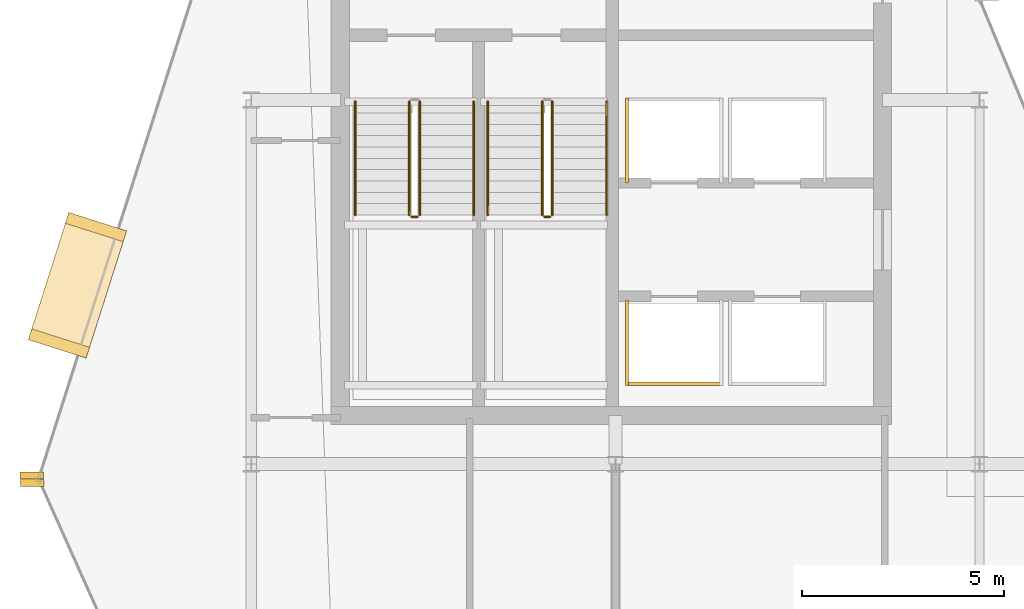
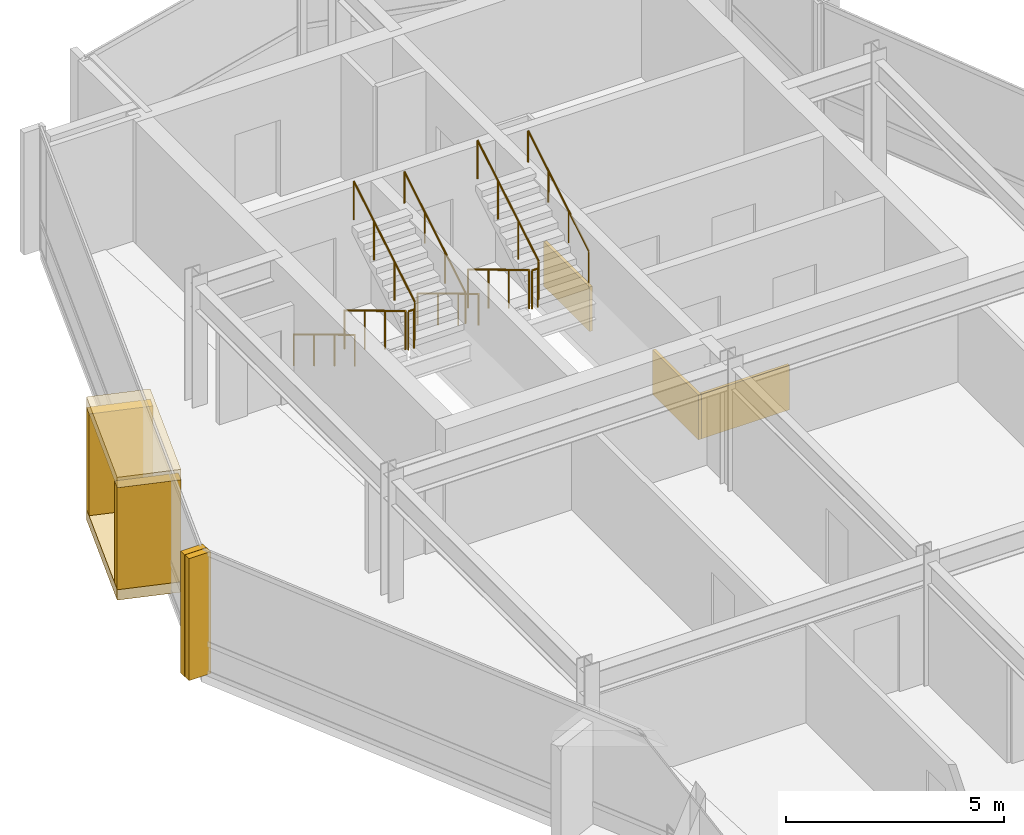
# One storey, part 17 of 19: 10 railings, 9 coverings.
"""IFC4 building model written with IfcOpenShell, lengths in metres."""

import ifcopenshell
import ifcopenshell.guid

model = None  # the IFC model being written
_history = None  # IfcOwnerHistory: only IFC2X3 demands one
_inside = {}  # id of a spatial element -> (the spatial element, [elements in it])
_under = {}  # id of a project, library or spatial element -> (it, [spatial elements below it])
_declared = {}  # id of a project -> (the project, [libraries it declares])
_typed = {}  # id of a type object -> (the type object, [elements of that type])
_made_of = {}  # id of a material, layer set ... -> (it, [elements and type objects made of it])


def new_model(schema):
    """Start an empty IFC model of exactly this schema.

    Asked for "IFC4X3", IfcOpenShell would pick the latest addendum, in which some entities
    have other attributes; the version numbers below select the first issue.
    IFC2X3 requires an IfcOwnerHistory on every rooted entity: one is made here for all.
    """
    global model, _history
    if schema == "IFC4X3":
        model = ifcopenshell.file(schema_version=(4, 3, 0, 0))
    else:
        model = ifcopenshell.file(schema=schema)
    _inside.clear()
    _under.clear()
    _declared.clear()
    _typed.clear()
    _made_of.clear()
    _history = None
    if model.schema == "IFC2X3":
        org = make("IfcOrganization", Name="unknown")
        user = make(
            "IfcPersonAndOrganization",
            ThePerson=make("IfcPerson", FamilyName="unknown"),
            TheOrganization=org,
        )
        app = make(
            "IfcApplication",
            ApplicationDeveloper=org,
            Version="unknown",
            ApplicationFullName="unknown",
            ApplicationIdentifier="unknown",
        )
        _history = make(
            "IfcOwnerHistory",
            OwningUser=user,
            OwningApplication=app,
            ChangeAction="ADDED",
            CreationDate=0,
        )
    return model


def make(cls, **values):
    """One entity of the class cls with the attributes given. An attribute that is None is left unset."""
    return model.create_entity(
        cls, **{name: value for name, value in values.items() if value is not None}
    )


def rooted(cls, **values):
    """An entity with a GlobalId (a new one), such as an element, a storey or a relation."""
    return make(cls, GlobalId=ifcopenshell.guid.new(), OwnerHistory=_history, **values)


def si_unit(unit_type, name, prefix=None):
    """IfcSIUnit, for example si_unit("LENGTHUNIT", "METRE", prefix="MILLI")."""
    return make("IfcSIUnit", UnitType=unit_type, Prefix=prefix, Name=name)


def assignment(units):
    """IfcUnitAssignment: the units of a project."""
    return None if units is None else make("IfcUnitAssignment", Units=units)


def point(xyz):
    """IfcCartesianPoint."""
    return None if xyz is None else make("IfcCartesianPoint", Coordinates=xyz)


def direction(xyz):
    """IfcDirection."""
    return None if xyz is None else make("IfcDirection", DirectionRatios=xyz)


def frame(location, z_axis=None, x_axis=None):
    """IfcAxis2Placement3D, a coordinate frame: its origin and axes. An axis left out is left unset."""
    return make(
        "IfcAxis2Placement3D",
        Location=point(location),
        Axis=direction(z_axis),
        RefDirection=direction(x_axis),
    )


def frame_2d(location, x_axis=None):
    """IfcAxis2Placement2D, a coordinate frame in the plane: its origin and x axis."""
    return make(
        "IfcAxis2Placement2D", Location=point(location), RefDirection=direction(x_axis)
    )


def origin():
    """The frame at (0, 0, 0) with its axes left unset."""
    return frame((0.0, 0.0, 0.0))


def origin_2d():
    """The frame at (0, 0) in the plane with its x axis left unset."""
    return frame_2d((0.0, 0.0))


def place(relative_to, where):
    """IfcLocalPlacement: puts the frame where relative to a parent placement (None: the world)."""
    return make(
        "IfcLocalPlacement", PlacementRelTo=relative_to, RelativePlacement=where
    )


def context(
    kind, dimensions, precision=None, world=None, true_north=None, identifier=None
):
    """IfcGeometricRepresentationContext, for example the 3D "Model" context."""
    return make(
        "IfcGeometricRepresentationContext",
        ContextIdentifier=identifier,
        ContextType=kind,
        CoordinateSpaceDimension=dimensions,
        Precision=precision,
        WorldCoordinateSystem=world,
        TrueNorth=true_north,
    )


def subcontext(parent, identifier, kind, view, scale=None):
    """IfcGeometricRepresentationSubContext, for example "Body" below "Model"."""
    return make(
        "IfcGeometricRepresentationSubContext",
        ContextIdentifier=identifier,
        ContextType=kind,
        ParentContext=parent,
        TargetScale=scale,
        TargetView=view,
    )


def project(units=None, contexts=None):
    """IfcProject with its units and contexts."""
    return rooted(
        "IfcProject",
        Name="project",
        RepresentationContexts=contexts,
        UnitsInContext=assignment(units),
    )


def spatial(cls, under=None, at=None, **own):
    """A site, building, storey or space (cls), placed at a placement, below another one or the project."""
    s = rooted(cls, ObjectPlacement=at, **own)
    if under is not None:
        _under.setdefault(under.id(), (under, []))[1].append(s)
    return s


def profile(cls, at=None, kind="AREA", **sizes):
    """A parametric profile (cls). Its sizes go by their IFC names, for example OverallWidth=200.0."""
    return make(cls, ProfileType=kind, Position=at, **sizes)


def rectangle(**sizes):
    """IfcRectangleProfileDef."""
    return profile("IfcRectangleProfileDef", **sizes)


def circle(**sizes):
    """IfcCircleProfileDef."""
    return profile("IfcCircleProfileDef", **sizes)


def extrude(swept, where, along, depth):
    """IfcExtrudedAreaSolid: the profile swept, set in the frame where, extruded along a direction by depth."""
    return make(
        "IfcExtrudedAreaSolid",
        SweptArea=swept,
        Position=where,
        ExtrudedDirection=direction(along),
        Depth=depth,
    )


def shape(context_of_items, identifier, shape_type, items):
    """IfcShapeRepresentation: the items that make up one representation, for example the "Body"."""
    return make(
        "IfcShapeRepresentation",
        ContextOfItems=context_of_items,
        RepresentationIdentifier=identifier,
        RepresentationType=shape_type,
        Items=items,
    )


def material(Name=None, Category=None):
    """IfcMaterial."""
    return make("IfcMaterial", Name=Name, Category=Category)


def layer(
    of_material, thickness, ventilated=None, Name=None, Category=None, Priority=None
):
    """IfcMaterialLayer: one layer of a wall or slab, of a material (None: an air gap)."""
    return make(
        "IfcMaterialLayer",
        Material=of_material,
        LayerThickness=thickness,
        IsVentilated=ventilated,
        Name=Name,
        Category=Category,
        Priority=Priority,
    )


def layer_set(layers, Name=None):
    """IfcMaterialLayerSet."""
    return make("IfcMaterialLayerSet", MaterialLayers=layers, LayerSetName=Name)


def made_of(thing, what):
    """Note that an element or type object is made of a material, layer set ...; save() writes the relation."""
    if what is not None:
        _made_of.setdefault(what.id(), (what, []))[1].append(thing)
    return thing


def type_object(cls, material=None, **own):
    """A type object (cls), such as IfcWallType, which elements share."""
    return made_of(rooted(cls, **own), material)


def element(
    cls,
    number,
    at=None,
    inside=None,
    cuts=None,
    type_object=None,
    material=None,
    context=None,
    identifier="Body",
    shape_type=None,
    held_by="IfcProductDefinitionShape",
    body=None,
    shapes=None,
    **own,
):
    """One element of the class cls, such as IfcWall. Its Tag is "e" and its number.

    at: its placement. inside: the storey or other place that contains it. cuts: it is an
    opening in that element (IfcRelVoidsElement). A single representation is given by context,
    identifier, shape_type and body (its items); several are given by shapes. held_by: the class
    of the entity that holds the representations. save() writes the other relations.
    """
    e = rooted(cls, Tag="e%d" % number, ObjectPlacement=at, **own)
    if body is not None:
        shapes = [shape(context, identifier, shape_type, body)]
    if shapes is not None:
        e.Representation = make(held_by, Representations=shapes)
    if inside is not None:
        _inside.setdefault(inside.id(), (inside, []))[1].append(e)
    if cuts is not None:
        rooted(
            "IfcRelVoidsElement", RelatingBuildingElement=cuts, RelatedOpeningElement=e
        )
    if type_object is not None:
        _typed.setdefault(type_object.id(), (type_object, []))[1].append(e)
    return made_of(e, material)


def aggregate(whole, parts):
    """IfcRelAggregates: a whole, such as a stair, and the parts it consists of."""
    return rooted("IfcRelAggregates", RelatingObject=whole, RelatedObjects=parts)


def save(model, path):
    """Write the relations noted so far, then the file.

    IfcRelAggregates (storeys below a building ...), IfcRelContainedInSpatialStructure (elements
    in a storey), IfcRelDefinesByType, IfcRelAssociatesMaterial and IfcRelDeclares: one each for
    every whole, place, type object, material and project.
    """
    for whole, parts in _under.values():
        aggregate(whole, parts)
    for where, things in _inside.values():
        rooted(
            "IfcRelContainedInSpatialStructure",
            RelatedElements=things,
            RelatingStructure=where,
        )
    for kind, things in _typed.values():
        rooted("IfcRelDefinesByType", RelatedObjects=things, RelatingType=kind)
    for what, things in _made_of.values():
        rooted("IfcRelAssociatesMaterial", RelatedObjects=things, RelatingMaterial=what)
    for by, libraries in _declared.values():
        rooted("IfcRelDeclares", RelatingContext=by, RelatedDefinitions=libraries)
    model.write(path)


model = new_model("IFC4")

# Units and contexts
model_context = context("Model", 3, precision=1e-05, world=origin(), true_north=direction((0.0, 1.0)))
body_context = subcontext(model_context, "Body", "Model", "MODEL_VIEW")
ifc_project = project(units=[si_unit("LENGTHUNIT", "METRE"), si_unit("AREAUNIT", "SQUARE_METRE"), si_unit("VOLUMEUNIT", "CUBIC_METRE"), si_unit("PLANEANGLEUNIT", "RADIAN"), si_unit("MASSUNIT", "GRAM", prefix="KILO")], contexts=[model_context])

# Site, building, storey
site_placement = place(None, origin())
site = spatial("IfcSite", under=ifc_project, at=site_placement, CompositionType="ELEMENT")
building_placement = place(site_placement, origin())
building = spatial("IfcBuilding", under=site, at=building_placement, Name="Solvaryn Broadcast Tower", CompositionType="ELEMENT")
storey_placement = place(building_placement, frame((0.0, 0.0, 255.60009765625)))
storey = spatial("IfcBuildingStorey", under=building, at=storey_placement, Name="L64", CompositionType="ELEMENT", Elevation=255.60009765625)

# Coverings
ifc_material_1 = material(Name="Fire-Rated Gypsum Shaftwall Liner", Category="concrete")
ifc_layer_1 = layer(ifc_material_1, 0.080078125)
ifc_layer_set_1 = layer_set([ifc_layer_1], Name="CV-SHAFT-LINER")
covering_type_1 = type_object("IfcCoveringType", Name="CV-SHAFT-LINER", PredefinedType="CLADDING", material=ifc_layer_set_1)
covering_placement = place(storey_placement, frame((19.449951171875, 28.985107421875, 0.0), z_axis=(0.0, 0.0, 1.0), x_axis=(1.0, 0.0, 0.0)))
element("IfcCovering", 1, at=covering_placement, inside=storey, type_object=covering_type_1, Name="L64 PH1 Hoistway Shaft Liner South", PredefinedType="CLADDING", context=body_context, shape_type="SweptSolid", body=[
    extrude(rectangle(XDim=2.409912109375, YDim=0.080078125, at=origin_2d()), origin(), (0.0, 0.0, 1.0), 1.25),
])
for number, where, z_axis, x_axis, name in (
    (2, (18.284912109375, 30.0, 0.0), (0.0, 0.0, 1.0), (1.0, 0.0, 0.0), "L64 PH1 Hoistway Shaft Liner West"),
    (3, (18.284912109375, 35.0, 0.0), (0.0, 0.0, 1.0), (1.0, 0.0, 0.0), "L64 PH3 Hoistway Shaft Liner West"),
):
    element("IfcCovering", number, at=place(storey_placement, frame(where, z_axis=z_axis, x_axis=x_axis)), inside=storey, type_object=covering_type_1, Name=name, PredefinedType="CLADDING", context=body_context, shape_type="SweptSolid", body=[
        extrude(rectangle(XDim=0.080078125, YDim=2.110107421875, at=origin_2d()), origin(), (0.0, 0.0, 1.0), 1.25),
    ])
ifc_material_2 = material(Name="Glazed Architectural Terracotta Rainscreen Cladding", Category="masonry")
ifc_layer_2 = layer(ifc_material_2, 0.280029296875)
ifc_layer_set_2 = layer_set([ifc_layer_2], Name="CV-TC-CLAD")
covering_type_2 = type_object("IfcCoveringType", Name="CV-TC-CLAD", PredefinedType="CLADDING", material=ifc_layer_set_2)
for number, where, z_axis, x_axis, name in (
    (4, (4.7060546875, 31.4208984375, 3.1298828125), (0.0, 0.0, 1.0), (-0.303534206887, -0.952820541996, 0.0), "L64 Projecting Stone Window Box Hood 1"),
    (5, (4.7060546875, 31.4208984375, -0.01025390625), (0.0, 0.0, 1.0), (-0.303534206887, -0.952820541996, 0.0), "L64 Projecting Stone Window Box Sill 1"),
):
    element("IfcCovering", number, at=place(storey_placement, frame(where, z_axis=z_axis, x_axis=x_axis)), inside=storey, type_object=covering_type_2, Name=name, PredefinedType="CLADDING", context=body_context, shape_type="SweptSolid", body=[
        extrude(rectangle(XDim=3.300048828125, YDim=1.5, at=origin_2d()), origin(), (0.0, 0.0, 1.0), 0.300048828125),
    ])
for number, where, z_axis, x_axis, name in (
    (6, (5.164306640625, 32.85986328125, 0.27978515625), (0.0, 0.0, 1.0), (-0.303534206887, -0.952820541996, 0.0), "L64 Projecting Stone Window Box Cheek 1-1"),
    (7, (4.247802734375, 29.982177734375, 0.27978515625), (0.0, 0.0, 1.0), (-0.303534206887, -0.952820541996, 0.0), "L64 Projecting Stone Window Box Cheek 1-2"),
):
    element("IfcCovering", number, at=place(storey_placement, frame(where, z_axis=z_axis, x_axis=x_axis)), inside=storey, type_object=covering_type_2, Name=name, PredefinedType="CLADDING", context=body_context, shape_type="SweptSolid", body=[
        extrude(rectangle(XDim=0.280029296875, YDim=1.5, at=origin_2d()), origin(), (0.0, 0.0, 1.0), 2.860107421875),
    ])
ifc_material_3 = material(Name="Extruded Architectural Terracotta Fin", Category="masonry")
ifc_layer_3 = layer(ifc_material_3, 0.179931640625)
ifc_layer_set_3 = layer_set([ifc_layer_3], Name="CV-TC-FIN")
covering_type_3 = type_object("IfcCoveringType", Name="CV-TC-FIN", PredefinedType="USERDEFINED", material=ifc_layer_set_3)
for number, where, z_axis, x_axis, name in (
    (8, (3.575439453125, 26.71923828125, 0.0), (0.0, 0.0, 1.0), (1.0, 0.0, 0.0), "L64 Terracotta Vertical Fin FIN-L64-DR1-M01"),
    (9, (3.5859375, 26.53515625, 0.0), (0.0, 0.0, 1.0), (1.0, 0.0, 0.0), "L64 Terracotta Vertical Fin FIN-L64-DR2-M00"),
):
    element("IfcCovering", number, at=place(storey_placement, frame(where, z_axis=z_axis, x_axis=x_axis)), inside=storey, type_object=covering_type_3, Name=name, ObjectType="FIN", PredefinedType="USERDEFINED", context=body_context, shape_type="SweptSolid", body=[
        extrude(rectangle(XDim=0.580078125, YDim=0.179931640625, at=origin_2d()), origin(), (0.0, 0.0, 1.0), 3.419921875),
    ])

# Railings
ifc_material_4 = material(Name="Painted Steel Stair Well Guard", Category="steel")
railing_type_1 = type_object("IfcRailingType", Name="RL-STAIR-GUARD", PredefinedType="BALUSTRADE", material=ifc_material_4)
railing_1_placement = place(storey_placement, frame((12.909912109375, 35.9599609375, 0.16796875)))
element("IfcRailing", 10, at=railing_1_placement, inside=storey, type_object=railing_type_1, Name="L64 ST1 stair guard 1", PredefinedType="BALUSTRADE", context=body_context, shape_type="SweptSolid", body=[
    extrude(circle(Radius=0.02392578125, at=origin_2d()), frame((0.0, 0.0, 1.076171875), z_axis=(0.0, -0.857242210791, 0.514913383045), x_axis=(1.0, 0.0, 0.0)), (0.0, 0.0, 1.0), 3.266357421875),
    extrude(circle(Radius=0.02099609375, at=origin_2d()), origin(), (0.0, 0.0, 1.0), 1.052001953125),
    extrude(circle(Radius=0.02099609375, at=origin_2d()), frame((0.0, -0.933349609375, 0.560546875)), (0.0, 0.0, 1.0), 1.052001953125),
    extrude(circle(Radius=0.02099609375, at=origin_2d()), frame((0.0, -1.86669921875, 1.121337890625)), (0.0, 0.0, 1.0), 1.052001953125),
    extrude(circle(Radius=0.02099609375, at=origin_2d()), frame((0.0, -2.800048828125, 1.681884765625)), (0.0, 0.0, 1.0), 1.052001953125),
])
railing_2_placement = place(storey_placement, frame((12.9599609375, 33.110107421875, 1.849853515625)))
element("IfcRailing", 11, at=railing_2_placement, inside=storey, type_object=railing_type_1, Name="L64 ST1 stair guard 2", PredefinedType="BALUSTRADE", context=body_context, shape_type="SweptSolid", body=[
    extrude(circle(Radius=0.02392578125, at=origin_2d()), frame((0.0, 0.0, 1.076171875), z_axis=(1.0, 0.0, 0.0), x_axis=(0.0, 1.0, 0.0)), (0.0, 0.0, 1.0), 0.150146484375),
    extrude(circle(Radius=0.02099609375, at=origin_2d()), origin(), (0.0, 0.0, 1.0), 1.052001953125),
    extrude(circle(Radius=0.02099609375, at=origin_2d()), frame((0.150146484375, 0.0, 0.0)), (0.0, 0.0, 1.0), 1.052001953125),
])
railing_3_placement = place(storey_placement, frame((13.159912109375, 33.159912109375, 2.01806640625)))
element("IfcRailing", 12, at=railing_3_placement, inside=storey, type_object=railing_type_1, Name="L64 ST1 stair guard 3", PredefinedType="BALUSTRADE", context=body_context, shape_type="SweptSolid", body=[
    extrude(circle(Radius=0.02392578125, at=origin_2d()), frame((0.0, 0.0, 1.076171875), z_axis=(0.0, 0.857242210791, 0.514913383045), x_axis=(-1.0, 0.0, 0.0)), (0.0, 0.0, 1.0), 3.266357421875),
    extrude(circle(Radius=0.02099609375, at=origin_2d()), origin(), (0.0, 0.0, 1.0), 1.052001953125),
    extrude(circle(Radius=0.02099609375, at=origin_2d()), frame((0.0, 0.933349609375, 0.560546875)), (0.0, 0.0, 1.0), 1.052001953125),
    extrude(circle(Radius=0.02099609375, at=origin_2d()), frame((0.0, 1.86669921875, 1.121337890625)), (0.0, 0.0, 1.0), 1.052001953125),
    extrude(circle(Radius=0.02099609375, at=origin_2d()), frame((0.0, 2.800048828125, 1.681884765625)), (0.0, 0.0, 1.0), 1.052001953125),
])
railing_4_placement = place(storey_placement, frame((16.18994140625, 35.9599609375, 0.16796875)))
element("IfcRailing", 13, at=railing_4_placement, inside=storey, type_object=railing_type_1, Name="L64 ST2 stair guard 1", PredefinedType="BALUSTRADE", context=body_context, shape_type="SweptSolid", body=[
    extrude(circle(Radius=0.02392578125, at=origin_2d()), frame((0.0, 0.0, 1.076171875), z_axis=(0.0, -0.857242210791, 0.514913383045), x_axis=(1.0, 0.0, 0.0)), (0.0, 0.0, 1.0), 3.266357421875),
    extrude(circle(Radius=0.02099609375, at=origin_2d()), origin(), (0.0, 0.0, 1.0), 1.052001953125),
    extrude(circle(Radius=0.02099609375, at=origin_2d()), frame((0.0, -0.933349609375, 0.560546875)), (0.0, 0.0, 1.0), 1.052001953125),
    extrude(circle(Radius=0.02099609375, at=origin_2d()), frame((0.0, -1.86669921875, 1.121337890625)), (0.0, 0.0, 1.0), 1.052001953125),
    extrude(circle(Radius=0.02099609375, at=origin_2d()), frame((0.0, -2.800048828125, 1.681884765625)), (0.0, 0.0, 1.0), 1.052001953125),
])
railing_5_placement = place(storey_placement, frame((16.239990234375, 33.110107421875, 1.849853515625)))
element("IfcRailing", 14, at=railing_5_placement, inside=storey, type_object=railing_type_1, Name="L64 ST2 stair guard 2", PredefinedType="BALUSTRADE", context=body_context, shape_type="SweptSolid", body=[
    extrude(circle(Radius=0.02392578125, at=origin_2d()), frame((0.0, 0.0, 1.076171875), z_axis=(1.0, 0.0, 0.0), x_axis=(0.0, 1.0, 0.0)), (0.0, 0.0, 1.0), 0.14990234375),
    extrude(circle(Radius=0.02099609375, at=origin_2d()), origin(), (0.0, 0.0, 1.0), 1.052001953125),
    extrude(circle(Radius=0.02099609375, at=origin_2d()), frame((0.14990234375, 0.0, 0.0)), (0.0, 0.0, 1.0), 1.052001953125),
])
railing_6_placement = place(storey_placement, frame((16.43994140625, 33.159912109375, 2.01806640625)))
element("IfcRailing", 15, at=railing_6_placement, inside=storey, type_object=railing_type_1, Name="L64 ST2 stair guard 3", PredefinedType="BALUSTRADE", context=body_context, shape_type="SweptSolid", body=[
    extrude(circle(Radius=0.02392578125, at=origin_2d()), frame((0.0, 0.0, 1.076171875), z_axis=(0.0, 0.857242210791, 0.514913383045), x_axis=(-1.0, 0.0, 0.0)), (0.0, 0.0, 1.0), 3.266357421875),
    extrude(circle(Radius=0.02099609375, at=origin_2d()), origin(), (0.0, 0.0, 1.0), 1.052001953125),
    extrude(circle(Radius=0.02099609375, at=origin_2d()), frame((0.0, 0.933349609375, 0.560546875)), (0.0, 0.0, 1.0), 1.052001953125),
    extrude(circle(Radius=0.02099609375, at=origin_2d()), frame((0.0, 1.86669921875, 1.121337890625)), (0.0, 0.0, 1.0), 1.052001953125),
    extrude(circle(Radius=0.02099609375, at=origin_2d()), frame((0.0, 2.800048828125, 1.681884765625)), (0.0, 0.0, 1.0), 1.052001953125),
])
ifc_material_5 = material(Name="Brushed Stainless Steel Tubular Handrail", Category="steel")
railing_type_2 = type_object("IfcRailingType", Name="RL-STAIR-HANDRAIL", PredefinedType="HANDRAIL", material=ifc_material_5)
railing_7_placement = place(storey_placement, frame((11.570068359375, 35.9599609375, 0.16796875)))
element("IfcRailing", 16, at=railing_7_placement, inside=storey, type_object=railing_type_2, Name="L64 ST1 stair handrail 1", PredefinedType="HANDRAIL", context=body_context, shape_type="SweptSolid", body=[
    extrude(circle(Radius=0.02392578125, at=origin_2d()), frame((0.0, 0.0, 0.8759765625), z_axis=(0.0, -0.857242210791, 0.514913383045), x_axis=(1.0, 0.0, 0.0)), (0.0, 0.0, 1.0), 3.266357421875),
    extrude(circle(Radius=0.02099609375, at=origin_2d()), origin(), (0.0, 0.0, 1.0), 0.851806640625),
    extrude(circle(Radius=0.02099609375, at=origin_2d()), frame((0.0, -0.933349609375, 0.560546875)), (0.0, 0.0, 1.0), 0.851806640625),
    extrude(circle(Radius=0.02099609375, at=origin_2d()), frame((0.0, -1.86669921875, 1.121337890625)), (0.0, 0.0, 1.0), 0.851806640625),
    extrude(circle(Radius=0.02099609375, at=origin_2d()), frame((0.0, -2.800048828125, 1.681884765625)), (0.0, 0.0, 1.0), 0.851806640625),
])
railing_8_placement = place(storey_placement, frame((14.5, 33.159912109375, 2.01806640625)))
element("IfcRailing", 17, at=railing_8_placement, inside=storey, type_object=railing_type_2, Name="L64 ST1 stair handrail 2", PredefinedType="HANDRAIL", context=body_context, shape_type="SweptSolid", body=[
    extrude(circle(Radius=0.02392578125, at=origin_2d()), frame((0.0, 0.0, 0.8759765625), z_axis=(0.0, 0.857242210791, 0.514913383045), x_axis=(-1.0, 0.0, 0.0)), (0.0, 0.0, 1.0), 3.266357421875),
    extrude(circle(Radius=0.02099609375, at=origin_2d()), origin(), (0.0, 0.0, 1.0), 0.851806640625),
    extrude(circle(Radius=0.02099609375, at=origin_2d()), frame((0.0, 0.933349609375, 0.560546875)), (0.0, 0.0, 1.0), 0.851806640625),
    extrude(circle(Radius=0.02099609375, at=origin_2d()), frame((0.0, 1.86669921875, 1.121337890625)), (0.0, 0.0, 1.0), 0.851806640625),
    extrude(circle(Radius=0.02099609375, at=origin_2d()), frame((0.0, 2.800048828125, 1.681884765625)), (0.0, 0.0, 1.0), 0.851806640625),
])
railing_9_placement = place(storey_placement, frame((14.85009765625, 35.9599609375, 0.16796875)))
element("IfcRailing", 18, at=railing_9_placement, inside=storey, type_object=railing_type_2, Name="L64 ST2 stair handrail 1", PredefinedType="HANDRAIL", context=body_context, shape_type="SweptSolid", body=[
    extrude(circle(Radius=0.02392578125, at=origin_2d()), frame((0.0, 0.0, 0.8759765625), z_axis=(0.0, -0.857242210791, 0.514913383045), x_axis=(1.0, 0.0, 0.0)), (0.0, 0.0, 1.0), 3.266357421875),
    extrude(circle(Radius=0.02099609375, at=origin_2d()), origin(), (0.0, 0.0, 1.0), 0.851806640625),
    extrude(circle(Radius=0.02099609375, at=origin_2d()), frame((0.0, -0.933349609375, 0.560546875)), (0.0, 0.0, 1.0), 0.851806640625),
    extrude(circle(Radius=0.02099609375, at=origin_2d()), frame((0.0, -1.86669921875, 1.121337890625)), (0.0, 0.0, 1.0), 0.851806640625),
    extrude(circle(Radius=0.02099609375, at=origin_2d()), frame((0.0, -2.800048828125, 1.681884765625)), (0.0, 0.0, 1.0), 0.851806640625),
])
railing_10_placement = place(storey_placement, frame((17.780029296875, 33.159912109375, 2.01806640625)))
element("IfcRailing", 19, at=railing_10_placement, inside=storey, type_object=railing_type_2, Name="L64 ST2 stair handrail 2", PredefinedType="HANDRAIL", context=body_context, shape_type="SweptSolid", body=[
    extrude(circle(Radius=0.02392578125, at=origin_2d()), frame((0.0, 0.0, 0.8759765625), z_axis=(0.0, 0.857242210791, 0.514913383045), x_axis=(-1.0, 0.0, 0.0)), (0.0, 0.0, 1.0), 3.266357421875),
    extrude(circle(Radius=0.02099609375, at=origin_2d()), origin(), (0.0, 0.0, 1.0), 0.851806640625),
    extrude(circle(Radius=0.02099609375, at=origin_2d()), frame((0.0, 0.933349609375, 0.560546875)), (0.0, 0.0, 1.0), 0.851806640625),
    extrude(circle(Radius=0.02099609375, at=origin_2d()), frame((0.0, 1.86669921875, 1.121337890625)), (0.0, 0.0, 1.0), 0.851806640625),
    extrude(circle(Radius=0.02099609375, at=origin_2d()), frame((0.0, 2.800048828125, 1.681884765625)), (0.0, 0.0, 1.0), 0.851806640625),
])

save(model, "model.ifc")
